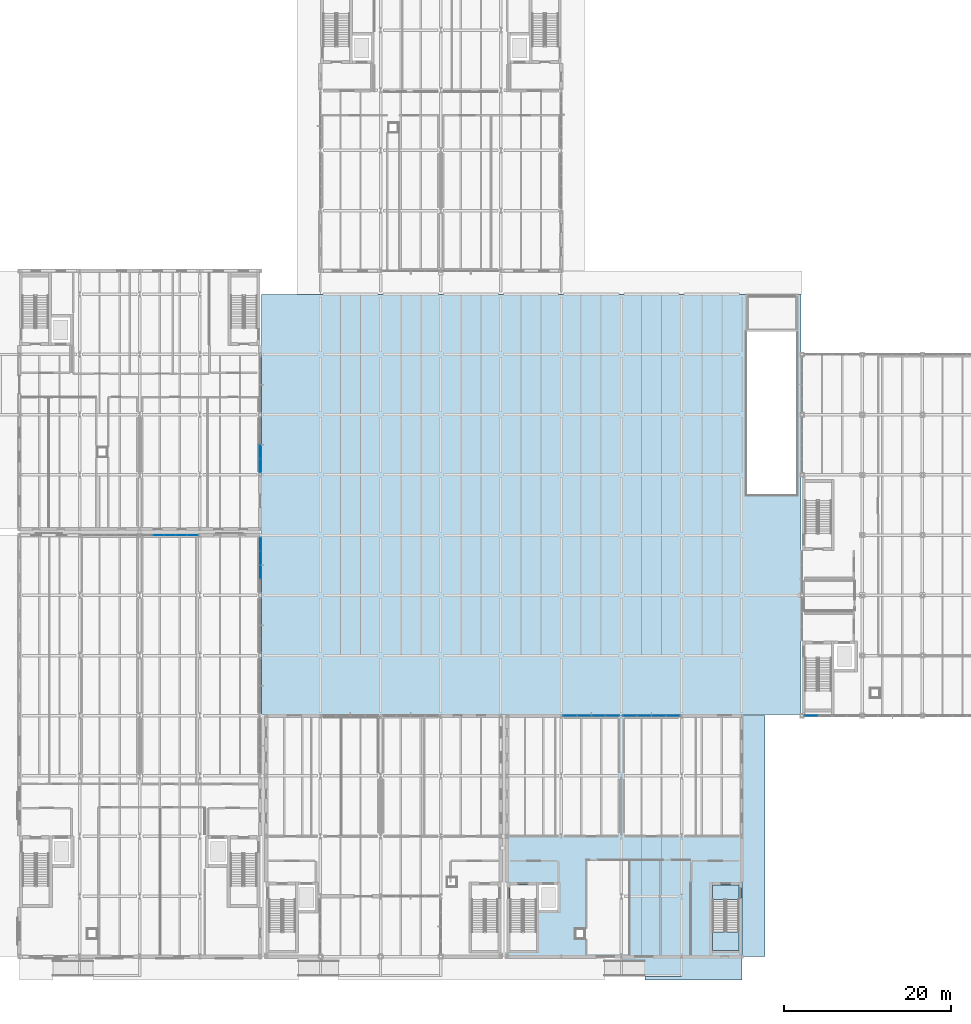
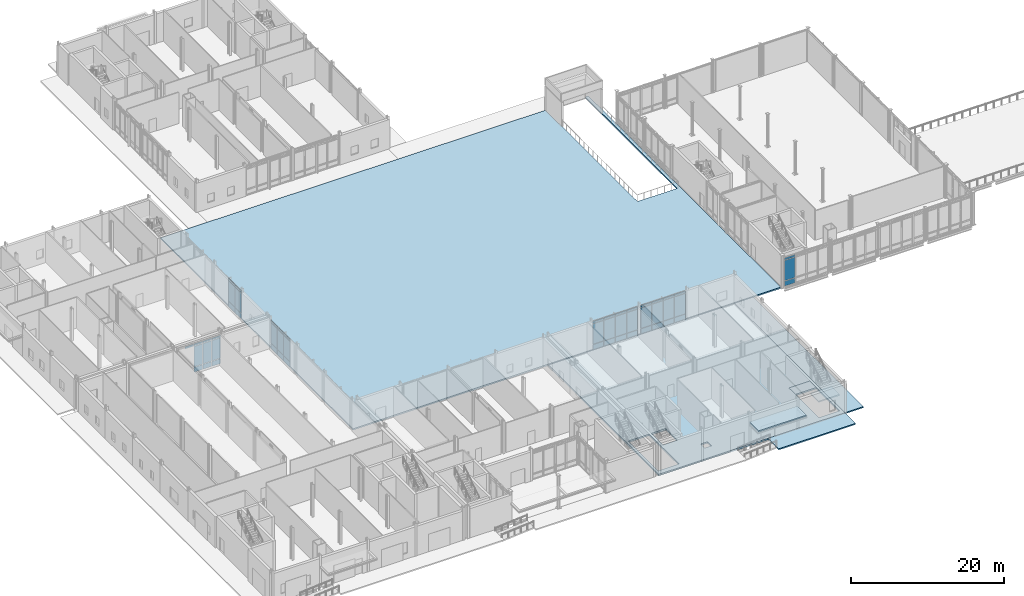
# One storey, part 42 of 89: 52 plates, 7 slabs, 7 elements without a shape of their own.
"""IFC4 building model written with IfcOpenShell, lengths in metres."""

import ifcopenshell
import ifcopenshell.guid

model = None  # the IFC model being written
_history = None  # IfcOwnerHistory: only IFC2X3 demands one
_inside = {}  # id of a spatial element -> (the spatial element, [elements in it])
_under = {}  # id of a project, library or spatial element -> (it, [spatial elements below it])
_declared = {}  # id of a project -> (the project, [libraries it declares])
_typed = {}  # id of a type object -> (the type object, [elements of that type])
_made_of = {}  # id of a material, layer set ... -> (it, [elements and type objects made of it])


def new_model(schema):
    """Start an empty IFC model of exactly this schema.

    Asked for "IFC4X3", IfcOpenShell would pick the latest addendum, in which some entities
    have other attributes; the version numbers below select the first issue.
    IFC2X3 requires an IfcOwnerHistory on every rooted entity: one is made here for all.
    """
    global model, _history
    if schema == "IFC4X3":
        model = ifcopenshell.file(schema_version=(4, 3, 0, 0))
    else:
        model = ifcopenshell.file(schema=schema)
    _inside.clear()
    _under.clear()
    _declared.clear()
    _typed.clear()
    _made_of.clear()
    _history = None
    if model.schema == "IFC2X3":
        org = make("IfcOrganization", Name="unknown")
        user = make(
            "IfcPersonAndOrganization",
            ThePerson=make("IfcPerson", FamilyName="unknown"),
            TheOrganization=org,
        )
        app = make(
            "IfcApplication",
            ApplicationDeveloper=org,
            Version="unknown",
            ApplicationFullName="unknown",
            ApplicationIdentifier="unknown",
        )
        _history = make(
            "IfcOwnerHistory",
            OwningUser=user,
            OwningApplication=app,
            ChangeAction="ADDED",
            CreationDate=0,
        )
    return model


def make(cls, **values):
    """One entity of the class cls with the attributes given. An attribute that is None is left unset."""
    return model.create_entity(
        cls, **{name: value for name, value in values.items() if value is not None}
    )


def rooted(cls, **values):
    """An entity with a GlobalId (a new one), such as an element, a storey or a relation."""
    return make(cls, GlobalId=ifcopenshell.guid.new(), OwnerHistory=_history, **values)


def si_unit(unit_type, name, prefix=None):
    """IfcSIUnit, for example si_unit("LENGTHUNIT", "METRE", prefix="MILLI")."""
    return make("IfcSIUnit", UnitType=unit_type, Prefix=prefix, Name=name)


def assignment(units):
    """IfcUnitAssignment: the units of a project."""
    return None if units is None else make("IfcUnitAssignment", Units=units)


def point(xyz):
    """IfcCartesianPoint."""
    return None if xyz is None else make("IfcCartesianPoint", Coordinates=xyz)


def direction(xyz):
    """IfcDirection."""
    return None if xyz is None else make("IfcDirection", DirectionRatios=xyz)


def frame(location, z_axis=None, x_axis=None):
    """IfcAxis2Placement3D, a coordinate frame: its origin and axes. An axis left out is left unset."""
    return make(
        "IfcAxis2Placement3D",
        Location=point(location),
        Axis=direction(z_axis),
        RefDirection=direction(x_axis),
    )


def frame_2d(location, x_axis=None):
    """IfcAxis2Placement2D, a coordinate frame in the plane: its origin and x axis."""
    return make(
        "IfcAxis2Placement2D", Location=point(location), RefDirection=direction(x_axis)
    )


def origin():
    """The frame at (0, 0, 0) with its axes left unset."""
    return frame((0.0, 0.0, 0.0))


def origin_2d():
    """The frame at (0, 0) in the plane with its x axis left unset."""
    return frame_2d((0.0, 0.0))


def place(relative_to, where):
    """IfcLocalPlacement: puts the frame where relative to a parent placement (None: the world)."""
    return make(
        "IfcLocalPlacement", PlacementRelTo=relative_to, RelativePlacement=where
    )


def context(
    kind, dimensions, precision=None, world=None, true_north=None, identifier=None
):
    """IfcGeometricRepresentationContext, for example the 3D "Model" context."""
    return make(
        "IfcGeometricRepresentationContext",
        ContextIdentifier=identifier,
        ContextType=kind,
        CoordinateSpaceDimension=dimensions,
        Precision=precision,
        WorldCoordinateSystem=world,
        TrueNorth=true_north,
    )


def subcontext(parent, identifier, kind, view, scale=None):
    """IfcGeometricRepresentationSubContext, for example "Body" below "Model"."""
    return make(
        "IfcGeometricRepresentationSubContext",
        ContextIdentifier=identifier,
        ContextType=kind,
        ParentContext=parent,
        TargetScale=scale,
        TargetView=view,
    )


def project(units=None, contexts=None):
    """IfcProject with its units and contexts."""
    return rooted(
        "IfcProject",
        Name="project",
        RepresentationContexts=contexts,
        UnitsInContext=assignment(units),
    )


def spatial(cls, under=None, at=None, **own):
    """A site, building, storey or space (cls), placed at a placement, below another one or the project."""
    s = rooted(cls, ObjectPlacement=at, **own)
    if under is not None:
        _under.setdefault(under.id(), (under, []))[1].append(s)
    return s


def polyline(points):
    """IfcPolyline through the points."""
    return make("IfcPolyline", Points=[point(p) for p in points])


def profile(cls, at=None, kind="AREA", **sizes):
    """A parametric profile (cls). Its sizes go by their IFC names, for example OverallWidth=200.0."""
    return make(cls, ProfileType=kind, Position=at, **sizes)


def rectangle(**sizes):
    """IfcRectangleProfileDef."""
    return profile("IfcRectangleProfileDef", **sizes)


def outline(outer, holes=None, kind="AREA"):
    """IfcArbitraryClosedProfileDef: a profile drawn as a closed curve; with holes, ...WithVoids."""
    if holes is None:
        return make("IfcArbitraryClosedProfileDef", ProfileType=kind, OuterCurve=outer)
    return make(
        "IfcArbitraryProfileDefWithVoids",
        ProfileType=kind,
        OuterCurve=outer,
        InnerCurves=holes,
    )


def extrude(swept, where, along, depth):
    """IfcExtrudedAreaSolid: the profile swept, set in the frame where, extruded along a direction by depth."""
    return make(
        "IfcExtrudedAreaSolid",
        SweptArea=swept,
        Position=where,
        ExtrudedDirection=direction(along),
        Depth=depth,
    )


def shape(context_of_items, identifier, shape_type, items):
    """IfcShapeRepresentation: the items that make up one representation, for example the "Body"."""
    return make(
        "IfcShapeRepresentation",
        ContextOfItems=context_of_items,
        RepresentationIdentifier=identifier,
        RepresentationType=shape_type,
        Items=items,
    )


def material(Name=None, Category=None):
    """IfcMaterial."""
    return make("IfcMaterial", Name=Name, Category=Category)


def layer(
    of_material, thickness, ventilated=None, Name=None, Category=None, Priority=None
):
    """IfcMaterialLayer: one layer of a wall or slab, of a material (None: an air gap)."""
    return make(
        "IfcMaterialLayer",
        Material=of_material,
        LayerThickness=thickness,
        IsVentilated=ventilated,
        Name=Name,
        Category=Category,
        Priority=Priority,
    )


def layer_set(layers, Name=None):
    """IfcMaterialLayerSet."""
    return make("IfcMaterialLayerSet", MaterialLayers=layers, LayerSetName=Name)


def made_of(thing, what):
    """Note that an element or type object is made of a material, layer set ...; save() writes the relation."""
    if what is not None:
        _made_of.setdefault(what.id(), (what, []))[1].append(thing)
    return thing


def type_object(cls, material=None, **own):
    """A type object (cls), such as IfcWallType, which elements share."""
    return made_of(rooted(cls, **own), material)


def element(
    cls,
    number,
    at=None,
    inside=None,
    cuts=None,
    type_object=None,
    material=None,
    context=None,
    identifier="Body",
    shape_type=None,
    held_by="IfcProductDefinitionShape",
    body=None,
    shapes=None,
    **own,
):
    """One element of the class cls, such as IfcWall. Its Tag is "e" and its number.

    at: its placement. inside: the storey or other place that contains it. cuts: it is an
    opening in that element (IfcRelVoidsElement). A single representation is given by context,
    identifier, shape_type and body (its items); several are given by shapes. held_by: the class
    of the entity that holds the representations. save() writes the other relations.
    """
    e = rooted(cls, Tag="e%d" % number, ObjectPlacement=at, **own)
    if body is not None:
        shapes = [shape(context, identifier, shape_type, body)]
    if shapes is not None:
        e.Representation = make(held_by, Representations=shapes)
    if inside is not None:
        _inside.setdefault(inside.id(), (inside, []))[1].append(e)
    if cuts is not None:
        rooted(
            "IfcRelVoidsElement", RelatingBuildingElement=cuts, RelatedOpeningElement=e
        )
    if type_object is not None:
        _typed.setdefault(type_object.id(), (type_object, []))[1].append(e)
    return made_of(e, material)


def aggregate(whole, parts):
    """IfcRelAggregates: a whole, such as a stair, and the parts it consists of."""
    return rooted("IfcRelAggregates", RelatingObject=whole, RelatedObjects=parts)


def save(model, path):
    """Write the relations noted so far, then the file.

    IfcRelAggregates (storeys below a building ...), IfcRelContainedInSpatialStructure (elements
    in a storey), IfcRelDefinesByType, IfcRelAssociatesMaterial and IfcRelDeclares: one each for
    every whole, place, type object, material and project.
    """
    for whole, parts in _under.values():
        aggregate(whole, parts)
    for where, things in _inside.values():
        rooted(
            "IfcRelContainedInSpatialStructure",
            RelatedElements=things,
            RelatingStructure=where,
        )
    for kind, things in _typed.values():
        rooted("IfcRelDefinesByType", RelatedObjects=things, RelatingType=kind)
    for what, things in _made_of.values():
        rooted("IfcRelAssociatesMaterial", RelatedObjects=things, RelatingMaterial=what)
    for by, libraries in _declared.values():
        rooted("IfcRelDeclares", RelatingContext=by, RelatedDefinitions=libraries)
    model.write(path)


model = new_model("IFC4")

# Units and contexts
model_context = context("Model", 3, precision=1e-05, world=origin(), true_north=direction((0.0, 1.0)))
body_context = subcontext(model_context, "Body", "Model", "MODEL_VIEW")
ifc_project = project(units=[si_unit("LENGTHUNIT", "METRE"), si_unit("AREAUNIT", "SQUARE_METRE"), si_unit("VOLUMEUNIT", "CUBIC_METRE"), si_unit("PLANEANGLEUNIT", "RADIAN"), si_unit("MASSUNIT", "GRAM", prefix="KILO")], contexts=[model_context])

# Site, building, storey
site_placement = place(None, origin())
site = spatial("IfcSite", under=ifc_project, at=site_placement, CompositionType="ELEMENT")
building_placement = place(site_placement, origin())
building = spatial("IfcBuilding", under=site, at=building_placement, Name="Zarrinpeak Specialist Clinic", CompositionType="ELEMENT")
storey_placement = place(building_placement, origin())
storey = spatial("IfcBuildingStorey", under=building, at=storey_placement, Name="L00", CompositionType="ELEMENT", Elevation=0.0)

# Slab
ifc_material_1 = material(Name="Steel S355", Category="steel")
ifc_layer_1 = layer(ifc_material_1, 0.199951171875)
ifc_layer_set_1 = layer_set([ifc_layer_1], Name="Steel S355")
slab_type_1 = type_object("IfcSlabType", Name="CAN-ENT", PredefinedType="ROOF", material=ifc_layer_set_1)
slab_1_placement = place(storey_placement, frame((0.0, 0.0, 3.39990234375)))
element("IfcSlab", 1, at=slab_1_placement, inside=storey, type_object=slab_type_1, Name="V4 Day Procedure Entrance Canopy", PredefinedType="ROOF", context=body_context, shape_type="SweptSolid", body=[
    extrude(outline(polyline([(72.0, -2.39990234375), (79.199951171875, -2.39990234375), (79.199951171875, 0.0), (72.0, 0.0), (72.0, -2.39990234375)])), origin(), (0.0, 0.0, 1.0), 0.2001953125),
])

# Curtain wall, plates
ifc_material_2 = material(Name="Anodised Aluminium Alloy 6063-T6", Category="aluminium")
ifc_layer_2 = layer(ifc_material_2, 0.1650390625)
ifc_layer_set_2 = layer_set([ifc_layer_2], Name="Anodised Aluminium Alloy 6063-T6")
curtain_wall_type_1 = type_object("IfcCurtainWallType", Name="CW-CLINIC", PredefinedType="NOTDEFINED", material=ifc_layer_set_2)
curtain_wall_1_placement = place(storey_placement, origin())
curtain_wall_1 = element("IfcCurtainWall", 2, at=curtain_wall_1_placement, inside=storey, type_object=curtain_wall_type_1, Name="L00 V1 Unitised Curtain Wall CW-L00-V1-002", PredefinedType="NOTDEFINED")
ifc_material_3 = material(Name="Double Low-E Insulated Glazing", Category="glass")
ifc_layer_3 = layer(ifc_material_3, 0.028076171875)
ifc_layer_set_3 = layer_set([ifc_layer_3], Name="Double Low-E Insulated Glazing")
plate_type_1 = type_object("IfcPlateType", Name="CWP-GLZ28", PredefinedType="CURTAIN_PANEL", material=ifc_layer_set_3)
plate_1_placement = place(storey_placement, frame((20.72119140625, 50.39990234375, 0.074951171875), z_axis=(0.0, 0.0, 1.0), x_axis=(-1.0, 0.0, 0.0)))
plate_1 = element("IfcPlate", 3, at=plate_1_placement, type_object=plate_type_1, Name="CW-03 panel 1.1", PredefinedType="CURTAIN_PANEL", context=body_context, shape_type="SweptSolid", body=[
    extrude(rectangle(XDim=1.257568359375, YDim=0.028076171875, at=origin_2d()), origin(), (0.0, 0.0, 1.0), 0.78759765625),
])
plate_2_placement = place(storey_placement, frame((20.72119140625, 50.39990234375, 0.9375), z_axis=(0.0, 0.0, 1.0), x_axis=(-1.0, 0.0, 0.0)))
plate_2 = element("IfcPlate", 4, at=plate_2_placement, type_object=plate_type_1, Name="CW-03 panel 1.2", PredefinedType="CURTAIN_PANEL", context=body_context, shape_type="SweptSolid", body=[
    extrude(rectangle(XDim=1.257568359375, YDim=0.028076171875, at=origin_2d()), origin(), (0.0, 0.0, 1.0), 3.239990234375),
])
plate_3_placement = place(storey_placement, frame((20.72119140625, 50.39990234375, 4.25244140625), z_axis=(0.0, 0.0, 1.0), x_axis=(-1.0, 0.0, 0.0)))
plate_3 = element("IfcPlate", 5, at=plate_3_placement, type_object=plate_type_1, Name="CW-03 panel 1.3", PredefinedType="CURTAIN_PANEL", context=body_context, shape_type="SweptSolid", body=[
    extrude(rectangle(XDim=1.257568359375, YDim=0.028076171875, at=origin_2d()), origin(), (0.0, 0.0, 1.0), 0.33740234375),
])
plate_4_placement = place(storey_placement, frame((19.3701171875, 50.39990234375, 0.074951171875), z_axis=(0.0, 0.0, 1.0), x_axis=(-1.0, 0.0, 0.0)))
plate_4 = element("IfcPlate", 6, at=plate_4_placement, type_object=plate_type_1, Name="CW-03 panel 2.1", PredefinedType="CURTAIN_PANEL", context=body_context, shape_type="SweptSolid", body=[
    extrude(rectangle(XDim=1.294921875, YDim=0.028076171875, at=origin_2d()), origin(), (0.0, 0.0, 1.0), 0.78759765625),
])
plate_5_placement = place(storey_placement, frame((19.3701171875, 50.39990234375, 0.9375), z_axis=(0.0, 0.0, 1.0), x_axis=(-1.0, 0.0, 0.0)))
plate_5 = element("IfcPlate", 7, at=plate_5_placement, type_object=plate_type_1, Name="CW-03 panel 2.2", PredefinedType="CURTAIN_PANEL", context=body_context, shape_type="SweptSolid", body=[
    extrude(rectangle(XDim=1.294921875, YDim=0.028076171875, at=origin_2d()), origin(), (0.0, 0.0, 1.0), 3.239990234375),
])
plate_6_placement = place(storey_placement, frame((19.3701171875, 50.39990234375, 4.25244140625), z_axis=(0.0, 0.0, 1.0), x_axis=(-1.0, 0.0, 0.0)))
plate_6 = element("IfcPlate", 8, at=plate_6_placement, type_object=plate_type_1, Name="CW-03 panel 2.3", PredefinedType="CURTAIN_PANEL", context=body_context, shape_type="SweptSolid", body=[
    extrude(rectangle(XDim=1.294921875, YDim=0.028076171875, at=origin_2d()), origin(), (0.0, 0.0, 1.0), 0.33740234375),
])
plate_7_placement = place(storey_placement, frame((18.0, 50.39990234375, 0.074951171875), z_axis=(0.0, 0.0, 1.0), x_axis=(-1.0, 0.0, 0.0)))
plate_7 = element("IfcPlate", 9, at=plate_7_placement, type_object=plate_type_1, Name="CW-03 panel 3.1", PredefinedType="CURTAIN_PANEL", context=body_context, shape_type="SweptSolid", body=[
    extrude(rectangle(XDim=1.294921875, YDim=0.028076171875, at=origin_2d()), origin(), (0.0, 0.0, 1.0), 0.78759765625),
])
plate_8_placement = place(storey_placement, frame((18.0, 50.39990234375, 0.9375), z_axis=(0.0, 0.0, 1.0), x_axis=(-1.0, 0.0, 0.0)))
plate_8 = element("IfcPlate", 10, at=plate_8_placement, type_object=plate_type_1, Name="CW-03 panel 3.2", PredefinedType="CURTAIN_PANEL", context=body_context, shape_type="SweptSolid", body=[
    extrude(rectangle(XDim=1.294921875, YDim=0.028076171875, at=origin_2d()), origin(), (0.0, 0.0, 1.0), 3.239990234375),
])
plate_9_placement = place(storey_placement, frame((18.0, 50.39990234375, 4.25244140625), z_axis=(0.0, 0.0, 1.0), x_axis=(-1.0, 0.0, 0.0)))
plate_9 = element("IfcPlate", 11, at=plate_9_placement, type_object=plate_type_1, Name="CW-03 panel 3.3", PredefinedType="CURTAIN_PANEL", context=body_context, shape_type="SweptSolid", body=[
    extrude(rectangle(XDim=1.294921875, YDim=0.028076171875, at=origin_2d()), origin(), (0.0, 0.0, 1.0), 0.33740234375),
])
plate_10_placement = place(storey_placement, frame((16.6298828125, 50.39990234375, 4.25244140625), z_axis=(0.0, 0.0, 1.0), x_axis=(-1.0, 0.0, 0.0)))
plate_10 = element("IfcPlate", 12, at=plate_10_placement, type_object=plate_type_1, Name="CW-03 panel 4.3", PredefinedType="CURTAIN_PANEL", context=body_context, shape_type="SweptSolid", body=[
    extrude(rectangle(XDim=1.294921875, YDim=0.028076171875, at=origin_2d()), origin(), (0.0, 0.0, 1.0), 0.33740234375),
])
aggregate(curtain_wall_1, [plate_1, plate_2, plate_3, plate_4, plate_5, plate_6, plate_7, plate_8, plate_9, plate_10])

ifc_layer_4 = layer(ifc_material_2, 0.179931640625)
ifc_layer_set_4 = layer_set([ifc_layer_4], Name="Anodised Aluminium Alloy 6063-T6")
curtain_wall_type_2 = type_object("IfcCurtainWallType", Name="CW-COURT", PredefinedType="NOTDEFINED", material=ifc_layer_set_4)
curtain_wall_2_placement = place(storey_placement, origin())
curtain_wall_2 = element("IfcCurtainWall", 13, at=curtain_wall_2_placement, inside=storey, type_object=curtain_wall_type_2, Name="L00 V1 Unitised Curtain Wall CW-L00-V1-006", PredefinedType="NOTDEFINED")
plate_11_placement = place(storey_placement, frame((28.800048828125, 45.97802734375, 0.074951171875), z_axis=(0.0, 0.0, 1.0), x_axis=(0.0, 1.0, 0.0)))
plate_11 = element("IfcPlate", 14, at=plate_11_placement, type_object=plate_type_1, Name="CW-01 panel 2.1", PredefinedType="CURTAIN_PANEL", context=body_context, shape_type="SweptSolid", body=[
    extrude(rectangle(XDim=1.59375, YDim=0.028076171875, at=origin_2d()), origin(), (0.0, 0.0, 1.0), 0.78759765625),
])
plate_12_placement = place(storey_placement, frame((28.800048828125, 45.97802734375, 0.9375), z_axis=(0.0, 0.0, 1.0), x_axis=(0.0, 1.0, 0.0)))
plate_12 = element("IfcPlate", 15, at=plate_12_placement, type_object=plate_type_1, Name="CW-01 panel 2.2", PredefinedType="CURTAIN_PANEL", context=body_context, shape_type="SweptSolid", body=[
    extrude(rectangle(XDim=1.59375, YDim=0.028076171875, at=origin_2d()), origin(), (0.0, 0.0, 1.0), 3.169921875),
])
plate_13_placement = place(storey_placement, frame((28.800048828125, 45.97802734375, 4.1826171875), z_axis=(0.0, 0.0, 1.0), x_axis=(0.0, 1.0, 0.0)))
plate_13 = element("IfcPlate", 16, at=plate_13_placement, type_object=plate_type_1, Name="CW-01 panel 2.3", PredefinedType="CURTAIN_PANEL", context=body_context, shape_type="SweptSolid", body=[
    extrude(rectangle(XDim=1.59375, YDim=0.028076171875, at=origin_2d()), origin(), (0.0, 0.0, 1.0), 0.33740234375),
])
plate_14_placement = place(storey_placement, frame((28.800048828125, 47.64697265625, 0.074951171875), z_axis=(0.0, 0.0, 1.0), x_axis=(0.0, 1.0, 0.0)))
plate_14 = element("IfcPlate", 17, at=plate_14_placement, type_object=plate_type_1, Name="CW-01 panel 3.1", PredefinedType="CURTAIN_PANEL", context=body_context, shape_type="SweptSolid", body=[
    extrude(rectangle(XDim=1.59375, YDim=0.028076171875, at=origin_2d()), origin(), (0.0, 0.0, 1.0), 0.78759765625),
])
plate_15_placement = place(storey_placement, frame((28.800048828125, 47.64697265625, 0.9375), z_axis=(0.0, 0.0, 1.0), x_axis=(0.0, 1.0, 0.0)))
plate_15 = element("IfcPlate", 18, at=plate_15_placement, type_object=plate_type_1, Name="CW-01 panel 3.2", PredefinedType="CURTAIN_PANEL", context=body_context, shape_type="SweptSolid", body=[
    extrude(rectangle(XDim=1.59375, YDim=0.028076171875, at=origin_2d()), origin(), (0.0, 0.0, 1.0), 3.169921875),
])
plate_16_placement = place(storey_placement, frame((28.800048828125, 47.64697265625, 4.1826171875), z_axis=(0.0, 0.0, 1.0), x_axis=(0.0, 1.0, 0.0)))
plate_16 = element("IfcPlate", 19, at=plate_16_placement, type_object=plate_type_1, Name="CW-01 panel 3.3", PredefinedType="CURTAIN_PANEL", context=body_context, shape_type="SweptSolid", body=[
    extrude(rectangle(XDim=1.59375, YDim=0.028076171875, at=origin_2d()), origin(), (0.0, 0.0, 1.0), 0.33740234375),
])
plate_17_placement = place(storey_placement, frame((28.800048828125, 49.296875, 0.074951171875), z_axis=(0.0, 0.0, 1.0), x_axis=(0.0, 1.0, 0.0)))
plate_17 = element("IfcPlate", 20, at=plate_17_placement, type_object=plate_type_1, Name="CW-01 panel 4.1", PredefinedType="CURTAIN_PANEL", context=body_context, shape_type="SweptSolid", body=[
    extrude(rectangle(XDim=1.55615234375, YDim=0.028076171875, at=origin_2d()), origin(), (0.0, 0.0, 1.0), 0.78759765625),
])
plate_18_placement = place(storey_placement, frame((28.800048828125, 49.296875, 0.9375), z_axis=(0.0, 0.0, 1.0), x_axis=(0.0, 1.0, 0.0)))
plate_18 = element("IfcPlate", 21, at=plate_18_placement, type_object=plate_type_1, Name="CW-01 panel 4.2", PredefinedType="CURTAIN_PANEL", context=body_context, shape_type="SweptSolid", body=[
    extrude(rectangle(XDim=1.55615234375, YDim=0.028076171875, at=origin_2d()), origin(), (0.0, 0.0, 1.0), 3.169921875),
])
plate_19_placement = place(storey_placement, frame((28.800048828125, 49.296875, 4.1826171875), z_axis=(0.0, 0.0, 1.0), x_axis=(0.0, 1.0, 0.0)))
plate_19 = element("IfcPlate", 22, at=plate_19_placement, type_object=plate_type_1, Name="CW-01 panel 4.3", PredefinedType="CURTAIN_PANEL", context=body_context, shape_type="SweptSolid", body=[
    extrude(rectangle(XDim=1.55615234375, YDim=0.028076171875, at=origin_2d()), origin(), (0.0, 0.0, 1.0), 0.33740234375),
])
aggregate(curtain_wall_2, [plate_11, plate_12, plate_13, plate_14, plate_15, plate_16, plate_17, plate_18, plate_19])

ifc_layer_5 = layer(ifc_material_2, 0.199951171875)
ifc_layer_set_5 = layer_set([ifc_layer_5], Name="Anodised Aluminium Alloy 6063-T6")
curtain_wall_type_3 = type_object("IfcCurtainWallType", Name="CW-HALL", PredefinedType="NOTDEFINED", material=ifc_layer_set_5)
curtain_wall_3_placement = place(storey_placement, origin())
curtain_wall_3 = element("IfcCurtainWall", 23, at=curtain_wall_3_placement, inside=storey, type_object=curtain_wall_type_3, Name="L00 V3 Unitised Curtain Wall CW-L00-V3-079", PredefinedType="NOTDEFINED")
plate_20_placement = place(storey_placement, frame((94.69873046875, 28.800048828125, 0.08984375), z_axis=(0.0, 0.0, 1.0), x_axis=(1.0, 0.0, 0.0)))
plate_20 = element("IfcPlate", 24, at=plate_20_placement, type_object=plate_type_1, Name="CW-02 panel 1.1", PredefinedType="CURTAIN_PANEL", context=body_context, shape_type="SweptSolid", body=[
    extrude(rectangle(XDim=1.561279296875, YDim=0.028076171875, at=origin_2d()), origin(), (0.0, 0.0, 1.0), 0.764892578125),
])
plate_21_placement = place(storey_placement, frame((94.69873046875, 28.800048828125, 0.945068359375), z_axis=(0.0, 0.0, 1.0), x_axis=(1.0, 0.0, 0.0)))
plate_21 = element("IfcPlate", 25, at=plate_21_placement, type_object=plate_type_1, Name="CW-02 panel 1.2", PredefinedType="CURTAIN_PANEL", context=body_context, shape_type="SweptSolid", body=[
    extrude(rectangle(XDim=1.561279296875, YDim=0.028076171875, at=origin_2d()), origin(), (0.0, 0.0, 1.0), 3.22509765625),
])
plate_22_placement = place(storey_placement, frame((94.69873046875, 28.800048828125, 4.260009765625), z_axis=(0.0, 0.0, 1.0), x_axis=(1.0, 0.0, 0.0)))
plate_22 = element("IfcPlate", 26, at=plate_22_placement, type_object=plate_type_1, Name="CW-02 panel 1.3", PredefinedType="CURTAIN_PANEL", context=body_context, shape_type="SweptSolid", body=[
    extrude(rectangle(XDim=1.561279296875, YDim=0.028076171875, at=origin_2d()), origin(), (0.0, 0.0, 1.0), 0.31494140625),
])
aggregate(curtain_wall_3, [plate_20, plate_21, plate_22])

curtain_wall_4_placement = place(storey_placement, origin())
curtain_wall_4 = element("IfcCurtainWall", 27, at=curtain_wall_4_placement, inside=storey, type_object=curtain_wall_type_2, Name="L00 V4 Unitised Curtain Wall CW-L00-V4-069", PredefinedType="NOTDEFINED")
ifc_material_4 = material(Name="Triple Acoustic Low-E Glazing", Category="glass")
ifc_layer_6 = layer(ifc_material_4, 0.035888671875)
ifc_layer_set_6 = layer_set([ifc_layer_6], Name="Triple Acoustic Low-E Glazing")
plate_type_2 = type_object("IfcPlateType", Name="CWP-GLZ36", PredefinedType="CURTAIN_PANEL", material=ifc_layer_set_6)
plate_23_placement = place(storey_placement, frame((70.949951171875, 28.800048828125, 0.074951171875), z_axis=(0.0, 0.0, 1.0), x_axis=(-1.0, 0.0, 0.0)))
plate_23 = element("IfcPlate", 28, at=plate_23_placement, type_object=plate_type_2, Name="CW-01 panel 1.1", PredefinedType="CURTAIN_PANEL", context=body_context, shape_type="SweptSolid", body=[
    extrude(rectangle(XDim=1.60009765625, YDim=0.035888671875, at=origin_2d()), origin(), (0.0, 0.0, 1.0), 0.78759765625),
])
plate_24_placement = place(storey_placement, frame((70.949951171875, 28.800048828125, 0.9375), z_axis=(0.0, 0.0, 1.0), x_axis=(-1.0, 0.0, 0.0)))
plate_24 = element("IfcPlate", 29, at=plate_24_placement, type_object=plate_type_2, Name="CW-01 panel 1.2", PredefinedType="CURTAIN_PANEL", context=body_context, shape_type="SweptSolid", body=[
    extrude(rectangle(XDim=1.60009765625, YDim=0.035888671875, at=origin_2d()), origin(), (0.0, 0.0, 1.0), 3.239990234375),
])
plate_25_placement = place(storey_placement, frame((70.949951171875, 28.800048828125, 4.25244140625), z_axis=(0.0, 0.0, 1.0), x_axis=(-1.0, 0.0, 0.0)))
plate_25 = element("IfcPlate", 30, at=plate_25_placement, type_object=plate_type_2, Name="CW-01 panel 1.3", PredefinedType="CURTAIN_PANEL", context=body_context, shape_type="SweptSolid", body=[
    extrude(rectangle(XDim=1.60009765625, YDim=0.035888671875, at=origin_2d()), origin(), (0.0, 0.0, 1.0), 0.33740234375),
])
plate_26_placement = place(storey_placement, frame((69.25634765625, 28.800048828125, 0.074951171875), z_axis=(0.0, 0.0, 1.0), x_axis=(-1.0, 0.0, 0.0)))
plate_26 = element("IfcPlate", 31, at=plate_26_placement, type_object=plate_type_2, Name="CW-01 panel 2.1", PredefinedType="CURTAIN_PANEL", context=body_context, shape_type="SweptSolid", body=[
    extrude(rectangle(XDim=1.637451171875, YDim=0.035888671875, at=origin_2d()), origin(), (0.0, 0.0, 1.0), 0.78759765625),
])
plate_27_placement = place(storey_placement, frame((69.25634765625, 28.800048828125, 0.9375), z_axis=(0.0, 0.0, 1.0), x_axis=(-1.0, 0.0, 0.0)))
plate_27 = element("IfcPlate", 32, at=plate_27_placement, type_object=plate_type_2, Name="CW-01 panel 2.2", PredefinedType="CURTAIN_PANEL", context=body_context, shape_type="SweptSolid", body=[
    extrude(rectangle(XDim=1.637451171875, YDim=0.035888671875, at=origin_2d()), origin(), (0.0, 0.0, 1.0), 3.239990234375),
])
plate_28_placement = place(storey_placement, frame((69.25634765625, 28.800048828125, 4.25244140625), z_axis=(0.0, 0.0, 1.0), x_axis=(-1.0, 0.0, 0.0)))
plate_28 = element("IfcPlate", 33, at=plate_28_placement, type_object=plate_type_2, Name="CW-01 panel 2.3", PredefinedType="CURTAIN_PANEL", context=body_context, shape_type="SweptSolid", body=[
    extrude(rectangle(XDim=1.637451171875, YDim=0.035888671875, at=origin_2d()), origin(), (0.0, 0.0, 1.0), 0.33740234375),
])
plate_29_placement = place(storey_placement, frame((67.543701171875, 28.800048828125, 0.074951171875), z_axis=(0.0, 0.0, 1.0), x_axis=(-1.0, 0.0, 0.0)))
plate_29 = element("IfcPlate", 34, at=plate_29_placement, type_object=plate_type_2, Name="CW-01 panel 3.1", PredefinedType="CURTAIN_PANEL", context=body_context, shape_type="SweptSolid", body=[
    extrude(rectangle(XDim=1.637451171875, YDim=0.035888671875, at=origin_2d()), origin(), (0.0, 0.0, 1.0), 0.78759765625),
])
plate_30_placement = place(storey_placement, frame((67.543701171875, 28.800048828125, 0.9375), z_axis=(0.0, 0.0, 1.0), x_axis=(-1.0, 0.0, 0.0)))
plate_30 = element("IfcPlate", 35, at=plate_30_placement, type_object=plate_type_2, Name="CW-01 panel 3.2", PredefinedType="CURTAIN_PANEL", context=body_context, shape_type="SweptSolid", body=[
    extrude(rectangle(XDim=1.637451171875, YDim=0.035888671875, at=origin_2d()), origin(), (0.0, 0.0, 1.0), 3.239990234375),
])
plate_31_placement = place(storey_placement, frame((67.543701171875, 28.800048828125, 4.25244140625), z_axis=(0.0, 0.0, 1.0), x_axis=(-1.0, 0.0, 0.0)))
plate_31 = element("IfcPlate", 36, at=plate_31_placement, type_object=plate_type_2, Name="CW-01 panel 3.3", PredefinedType="CURTAIN_PANEL", context=body_context, shape_type="SweptSolid", body=[
    extrude(rectangle(XDim=1.637451171875, YDim=0.035888671875, at=origin_2d()), origin(), (0.0, 0.0, 1.0), 0.33740234375),
])
plate_32_placement = place(storey_placement, frame((65.85009765625, 28.800048828125, 0.074951171875), z_axis=(0.0, 0.0, 1.0), x_axis=(-1.0, 0.0, 0.0)))
plate_32 = element("IfcPlate", 37, at=plate_32_placement, type_object=plate_type_2, Name="CW-01 panel 4.1", PredefinedType="CURTAIN_PANEL", context=body_context, shape_type="SweptSolid", body=[
    extrude(rectangle(XDim=1.60009765625, YDim=0.035888671875, at=origin_2d()), origin(), (0.0, 0.0, 1.0), 0.78759765625),
])
plate_33_placement = place(storey_placement, frame((65.85009765625, 28.800048828125, 0.9375), z_axis=(0.0, 0.0, 1.0), x_axis=(-1.0, 0.0, 0.0)))
plate_33 = element("IfcPlate", 38, at=plate_33_placement, type_object=plate_type_2, Name="CW-01 panel 4.2", PredefinedType="CURTAIN_PANEL", context=body_context, shape_type="SweptSolid", body=[
    extrude(rectangle(XDim=1.60009765625, YDim=0.035888671875, at=origin_2d()), origin(), (0.0, 0.0, 1.0), 3.239990234375),
])
plate_34_placement = place(storey_placement, frame((65.85009765625, 28.800048828125, 4.25244140625), z_axis=(0.0, 0.0, 1.0), x_axis=(-1.0, 0.0, 0.0)))
plate_34 = element("IfcPlate", 39, at=plate_34_placement, type_object=plate_type_2, Name="CW-01 panel 4.3", PredefinedType="CURTAIN_PANEL", context=body_context, shape_type="SweptSolid", body=[
    extrude(rectangle(XDim=1.60009765625, YDim=0.035888671875, at=origin_2d()), origin(), (0.0, 0.0, 1.0), 0.33740234375),
])
aggregate(curtain_wall_4, [plate_23, plate_24, plate_25, plate_26, plate_27, plate_28, plate_29, plate_30, plate_31, plate_32, plate_33, plate_34])

curtain_wall_5_placement = place(storey_placement, origin())
curtain_wall_5 = element("IfcCurtainWall", 40, at=curtain_wall_5_placement, inside=storey, type_object=curtain_wall_type_2, Name="L00 V4 Unitised Curtain Wall CW-L00-V4-070", PredefinedType="NOTDEFINED")
plate_35_placement = place(storey_placement, frame((78.14990234375, 28.800048828125, 0.074951171875), z_axis=(0.0, 0.0, 1.0), x_axis=(-1.0, 0.0, 0.0)))
plate_35 = element("IfcPlate", 41, at=plate_35_placement, type_object=plate_type_2, Name="CW-01 panel 1.1", PredefinedType="CURTAIN_PANEL", context=body_context, shape_type="SweptSolid", body=[
    extrude(rectangle(XDim=1.60009765625, YDim=0.035888671875, at=origin_2d()), origin(), (0.0, 0.0, 1.0), 0.78759765625),
])
plate_36_placement = place(storey_placement, frame((78.14990234375, 28.800048828125, 0.9375), z_axis=(0.0, 0.0, 1.0), x_axis=(-1.0, 0.0, 0.0)))
plate_36 = element("IfcPlate", 42, at=plate_36_placement, type_object=plate_type_2, Name="CW-01 panel 1.2", PredefinedType="CURTAIN_PANEL", context=body_context, shape_type="SweptSolid", body=[
    extrude(rectangle(XDim=1.60009765625, YDim=0.035888671875, at=origin_2d()), origin(), (0.0, 0.0, 1.0), 3.239990234375),
])
plate_37_placement = place(storey_placement, frame((78.14990234375, 28.800048828125, 4.25244140625), z_axis=(0.0, 0.0, 1.0), x_axis=(-1.0, 0.0, 0.0)))
plate_37 = element("IfcPlate", 43, at=plate_37_placement, type_object=plate_type_2, Name="CW-01 panel 1.3", PredefinedType="CURTAIN_PANEL", context=body_context, shape_type="SweptSolid", body=[
    extrude(rectangle(XDim=1.60009765625, YDim=0.035888671875, at=origin_2d()), origin(), (0.0, 0.0, 1.0), 0.33740234375),
])
plate_38_placement = place(storey_placement, frame((76.456298828125, 28.800048828125, 0.074951171875), z_axis=(0.0, 0.0, 1.0), x_axis=(-1.0, 0.0, 0.0)))
plate_38 = element("IfcPlate", 44, at=plate_38_placement, type_object=plate_type_2, Name="CW-01 panel 2.1", PredefinedType="CURTAIN_PANEL", context=body_context, shape_type="SweptSolid", body=[
    extrude(rectangle(XDim=1.637451171875, YDim=0.035888671875, at=origin_2d()), origin(), (0.0, 0.0, 1.0), 0.78759765625),
])
plate_39_placement = place(storey_placement, frame((76.456298828125, 28.800048828125, 0.9375), z_axis=(0.0, 0.0, 1.0), x_axis=(-1.0, 0.0, 0.0)))
plate_39 = element("IfcPlate", 45, at=plate_39_placement, type_object=plate_type_2, Name="CW-01 panel 2.2", PredefinedType="CURTAIN_PANEL", context=body_context, shape_type="SweptSolid", body=[
    extrude(rectangle(XDim=1.637451171875, YDim=0.035888671875, at=origin_2d()), origin(), (0.0, 0.0, 1.0), 3.239990234375),
])
plate_40_placement = place(storey_placement, frame((76.456298828125, 28.800048828125, 4.25244140625), z_axis=(0.0, 0.0, 1.0), x_axis=(-1.0, 0.0, 0.0)))
plate_40 = element("IfcPlate", 46, at=plate_40_placement, type_object=plate_type_2, Name="CW-01 panel 2.3", PredefinedType="CURTAIN_PANEL", context=body_context, shape_type="SweptSolid", body=[
    extrude(rectangle(XDim=1.637451171875, YDim=0.035888671875, at=origin_2d()), origin(), (0.0, 0.0, 1.0), 0.33740234375),
])
plate_41_placement = place(storey_placement, frame((74.74365234375, 28.800048828125, 0.074951171875), z_axis=(0.0, 0.0, 1.0), x_axis=(-1.0, 0.0, 0.0)))
plate_41 = element("IfcPlate", 47, at=plate_41_placement, type_object=plate_type_2, Name="CW-01 panel 3.1", PredefinedType="CURTAIN_PANEL", context=body_context, shape_type="SweptSolid", body=[
    extrude(rectangle(XDim=1.637451171875, YDim=0.035888671875, at=origin_2d()), origin(), (0.0, 0.0, 1.0), 0.78759765625),
])
plate_42_placement = place(storey_placement, frame((74.74365234375, 28.800048828125, 0.9375), z_axis=(0.0, 0.0, 1.0), x_axis=(-1.0, 0.0, 0.0)))
plate_42 = element("IfcPlate", 48, at=plate_42_placement, type_object=plate_type_2, Name="CW-01 panel 3.2", PredefinedType="CURTAIN_PANEL", context=body_context, shape_type="SweptSolid", body=[
    extrude(rectangle(XDim=1.637451171875, YDim=0.035888671875, at=origin_2d()), origin(), (0.0, 0.0, 1.0), 3.239990234375),
])
plate_43_placement = place(storey_placement, frame((74.74365234375, 28.800048828125, 4.25244140625), z_axis=(0.0, 0.0, 1.0), x_axis=(-1.0, 0.0, 0.0)))
plate_43 = element("IfcPlate", 49, at=plate_43_placement, type_object=plate_type_2, Name="CW-01 panel 3.3", PredefinedType="CURTAIN_PANEL", context=body_context, shape_type="SweptSolid", body=[
    extrude(rectangle(XDim=1.637451171875, YDim=0.035888671875, at=origin_2d()), origin(), (0.0, 0.0, 1.0), 0.33740234375),
])
plate_44_placement = place(storey_placement, frame((73.050048828125, 28.800048828125, 0.074951171875), z_axis=(0.0, 0.0, 1.0), x_axis=(-1.0, 0.0, 0.0)))
plate_44 = element("IfcPlate", 50, at=plate_44_placement, type_object=plate_type_2, Name="CW-01 panel 4.1", PredefinedType="CURTAIN_PANEL", context=body_context, shape_type="SweptSolid", body=[
    extrude(rectangle(XDim=1.60009765625, YDim=0.035888671875, at=origin_2d()), origin(), (0.0, 0.0, 1.0), 0.78759765625),
])
plate_45_placement = place(storey_placement, frame((73.050048828125, 28.800048828125, 0.9375), z_axis=(0.0, 0.0, 1.0), x_axis=(-1.0, 0.0, 0.0)))
plate_45 = element("IfcPlate", 51, at=plate_45_placement, type_object=plate_type_2, Name="CW-01 panel 4.2", PredefinedType="CURTAIN_PANEL", context=body_context, shape_type="SweptSolid", body=[
    extrude(rectangle(XDim=1.60009765625, YDim=0.035888671875, at=origin_2d()), origin(), (0.0, 0.0, 1.0), 3.239990234375),
])
plate_46_placement = place(storey_placement, frame((73.050048828125, 28.800048828125, 4.25244140625), z_axis=(0.0, 0.0, 1.0), x_axis=(-1.0, 0.0, 0.0)))
plate_46 = element("IfcPlate", 52, at=plate_46_placement, type_object=plate_type_2, Name="CW-01 panel 4.3", PredefinedType="CURTAIN_PANEL", context=body_context, shape_type="SweptSolid", body=[
    extrude(rectangle(XDim=1.60009765625, YDim=0.035888671875, at=origin_2d()), origin(), (0.0, 0.0, 1.0), 0.33740234375),
])
aggregate(curtain_wall_5, [plate_35, plate_36, plate_37, plate_38, plate_39, plate_40, plate_41, plate_42, plate_43, plate_44, plate_45, plate_46])

curtain_wall_6_placement = place(storey_placement, origin())
curtain_wall_6 = element("IfcCurtainWall", 53, at=curtain_wall_6_placement, inside=storey, type_object=curtain_wall_type_2, Name="L00 V5 Unitised Curtain Wall CW-L00-V5-121", PredefinedType="NOTDEFINED")
plate_47_placement = place(storey_placement, frame((28.800048828125, 58.6875, 0.074951171875), z_axis=(0.0, 0.0, 1.0), x_axis=(0.0, 1.0, 0.0)))
plate_47 = element("IfcPlate", 54, at=plate_47_placement, type_object=plate_type_2, Name="CW-01 panel 1.1", PredefinedType="CURTAIN_PANEL", context=body_context, shape_type="SweptSolid", body=[
    extrude(rectangle(XDim=1.574951171875, YDim=0.035888671875, at=origin_2d()), origin(), (0.0, 0.0, 1.0), 0.78759765625),
])
plate_48_placement = place(storey_placement, frame((28.800048828125, 58.6875, 0.9375), z_axis=(0.0, 0.0, 1.0), x_axis=(0.0, 1.0, 0.0)))
plate_48 = element("IfcPlate", 55, at=plate_48_placement, type_object=plate_type_2, Name="CW-01 panel 1.2", PredefinedType="CURTAIN_PANEL", context=body_context, shape_type="SweptSolid", body=[
    extrude(rectangle(XDim=1.574951171875, YDim=0.035888671875, at=origin_2d()), origin(), (0.0, 0.0, 1.0), 3.139892578125),
])
plate_49_placement = place(storey_placement, frame((28.800048828125, 58.6875, 4.152587890625), z_axis=(0.0, 0.0, 1.0), x_axis=(0.0, 1.0, 0.0)))
plate_49 = element("IfcPlate", 56, at=plate_49_placement, type_object=plate_type_2, Name="CW-01 panel 1.3", PredefinedType="CURTAIN_PANEL", context=body_context, shape_type="SweptSolid", body=[
    extrude(rectangle(XDim=1.574951171875, YDim=0.035888671875, at=origin_2d()), origin(), (0.0, 0.0, 1.0), 0.33740234375),
])
plate_50_placement = place(storey_placement, frame((28.800048828125, 60.356201171875, 0.074951171875), z_axis=(0.0, 0.0, 1.0), x_axis=(0.0, 1.0, 0.0)))
plate_50 = element("IfcPlate", 57, at=plate_50_placement, type_object=plate_type_2, Name="CW-01 panel 2.1", PredefinedType="CURTAIN_PANEL", context=body_context, shape_type="SweptSolid", body=[
    extrude(rectangle(XDim=1.612548828125, YDim=0.035888671875, at=origin_2d()), origin(), (0.0, 0.0, 1.0), 0.78759765625),
])
plate_51_placement = place(storey_placement, frame((28.800048828125, 60.356201171875, 0.9375), z_axis=(0.0, 0.0, 1.0), x_axis=(0.0, 1.0, 0.0)))
plate_51 = element("IfcPlate", 58, at=plate_51_placement, type_object=plate_type_2, Name="CW-01 panel 2.2", PredefinedType="CURTAIN_PANEL", context=body_context, shape_type="SweptSolid", body=[
    extrude(rectangle(XDim=1.612548828125, YDim=0.035888671875, at=origin_2d()), origin(), (0.0, 0.0, 1.0), 3.139892578125),
])
plate_52_placement = place(storey_placement, frame((28.800048828125, 60.356201171875, 4.152587890625), z_axis=(0.0, 0.0, 1.0), x_axis=(0.0, 1.0, 0.0)))
plate_52 = element("IfcPlate", 59, at=plate_52_placement, type_object=plate_type_2, Name="CW-01 panel 2.3", PredefinedType="CURTAIN_PANEL", context=body_context, shape_type="SweptSolid", body=[
    extrude(rectangle(XDim=1.612548828125, YDim=0.035888671875, at=origin_2d()), origin(), (0.0, 0.0, 1.0), 0.33740234375),
])
aggregate(curtain_wall_6, [plate_47, plate_48, plate_49, plate_50, plate_51, plate_52])

# Slabs
ifc_material_5 = material(Name="Concrete C35/45", Category="concrete")
ifc_layer_7 = layer(ifc_material_5, 0.25)
ifc_layer_set_7 = layer_set([ifc_layer_7], Name="Concrete C35/45")
slab_type_2 = type_object("IfcSlabType", Name="SL-FLR250", PredefinedType="FLOOR", material=ifc_layer_set_7)
slab_2_placement = place(storey_placement, frame((0.0, 0.0, -0.25)))
element("IfcSlab", 60, at=slab_2_placement, inside=storey, type_object=slab_type_2, Name="L00 Suspended Clinical Floor Slab V4", PredefinedType="FLOOR", context=body_context, shape_type="SweptSolid", body=[
    extrude(outline(polyline([(58.320068359375, 0.0), (86.39990234375, 0.0), (86.39990234375, 28.800048828125), (58.320068359375, 28.800048828125), (58.320068359375, 0.0)]), holes=[polyline([(58.669921875, 0.75), (61.820068359375, 0.75), (61.820068359375, 8.550048828125), (58.669921875, 8.550048828125), (58.669921875, 0.75)]), polyline([(62.169921875, 5.550048828125), (64.3701171875, 5.550048828125), (64.3701171875, 8.550048828125), (62.169921875, 8.550048828125), (62.169921875, 5.550048828125)]), polyline([(82.89990234375, 0.75), (86.050048828125, 0.75), (86.050048828125, 8.550048828125), (82.89990234375, 8.550048828125), (82.89990234375, 0.75)]), polyline([(66.52001953125, 2.199951171875), (67.570068359375, 2.199951171875), (67.570068359375, 3.25), (66.52001953125, 3.25), (66.52001953125, 2.199951171875)])]), origin(), (0.0, 0.0, 1.0), 0.25),
])
slab_3_placement = place(storey_placement, frame((0.0, 0.0, -0.25)))
element("IfcSlab", 61, at=slab_3_placement, inside=storey, type_object=slab_type_2, Name="L00 Core C08 Stairwell Floor Landing Slab", PredefinedType="FLOOR", context=body_context, shape_type="SweptSolid", body=[
    extrude(outline(polyline([(82.89990234375, 6.85009765625), (86.050048828125, 6.85009765625), (86.050048828125, 8.550048828125), (82.89990234375, 8.550048828125), (82.89990234375, 6.85009765625)])), origin(), (0.0, 0.0, 1.0), 0.25),
])

# Stair, slab
stair_type = type_object("IfcStairType", Name="ST-DOG", PredefinedType="HALF_TURN_STAIR", material=ifc_material_5)
stair_placement = place(storey_placement, origin())
stair = element("IfcStair", 62, at=stair_placement, inside=storey, type_object=stair_type, Name="L00 Protected Exit Stair ST-08", PredefinedType="HALF_TURN_STAIR")
ifc_layer_8 = layer(ifc_material_5, 0.199951171875)
ifc_layer_set_8 = layer_set([ifc_layer_8], Name="Concrete C35/45")
slab_type_3 = type_object("IfcSlabType", Name="SL-LAND200", PredefinedType="LANDING", material=ifc_layer_set_8)
slab_4_placement = place(storey_placement, frame((0.0, 0.0, 2.39990234375)))
slab_4 = element("IfcSlab", 63, at=slab_4_placement, type_object=slab_type_3, Name="ST-08 landing 1", PredefinedType="LANDING", context=body_context, shape_type="SweptSolid", body=[
    extrude(outline(polyline([(82.89990234375, 2.929931640625), (82.89990234375, 0.75), (86.050048828125, 0.75), (86.050048828125, 2.929931640625), (82.89990234375, 2.929931640625)])), origin(), (0.0, 0.0, 1.0), 0.2001953125),
])
aggregate(stair, [slab_4])

# Slabs
ifc_layer_9 = layer(ifc_material_5, 0.195068359375)
ifc_layer_set_9 = layer_set([ifc_layer_9], Name="Concrete C35/45")
slab_type_4 = type_object("IfcSlabType", Name="SL-TER195", PredefinedType="FLOOR", material=ifc_layer_set_9)
slab_5_placement = place(storey_placement, frame((0.0, 0.0, -0.195068359375)))
element("IfcSlab", 64, at=slab_5_placement, inside=storey, type_object=slab_type_4, Name="L00 V4 South Promenade Entrance Apron Slab", PredefinedType="FLOOR", context=body_context, shape_type="SweptSolid", body=[
    extrude(outline(polyline([(74.800048828125, -2.800048828125), (86.39990234375, -2.800048828125), (86.39990234375, 0.0), (74.800048828125, 0.0), (74.800048828125, -2.800048828125)])), origin(), (0.0, 0.0, 1.0), 0.195068359375),
])
slab_6_placement = place(storey_placement, frame((0.0, 0.0, -0.195068359375)))
element("IfcSlab", 65, at=slab_6_placement, inside=storey, type_object=slab_type_4, Name="L00 V4 East Exit Promenade Apron Slab", PredefinedType="FLOOR", context=body_context, shape_type="SweptSolid", body=[
    extrude(outline(polyline([(86.39990234375, 0.0), (89.199951171875, 0.0), (89.199951171875, 28.800048828125), (86.39990234375, 28.800048828125), (86.39990234375, 0.0)])), origin(), (0.0, 0.0, 1.0), 0.195068359375),
])
ifc_layer_10 = layer(ifc_material_5, 0.219970703125)
ifc_layer_set_10 = layer_set([ifc_layer_10], Name="Concrete C35/45")
slab_type_5 = type_object("IfcSlabType", Name="SL-TER220", PredefinedType="FLOOR", material=ifc_layer_set_10)
slab_7_placement = place(storey_placement, frame((0.0, 0.0, -0.219970703125)))
element("IfcSlab", 66, at=slab_7_placement, inside=storey, type_object=slab_type_5, Name="L00 Carved Central Court C1 Deck Slab B01-C1", PredefinedType="FLOOR", context=body_context, shape_type="SweptSolid", body=[
    extrude(outline(polyline([(28.93994140625, 28.93994140625), (93.4599609375, 28.93994140625), (93.4599609375, 79.199951171875), (93.0, 79.199951171875), (93.0, 55.199951171875), (87.0, 55.199951171875), (87.0, 79.199951171875), (28.93994140625, 79.199951171875), (28.93994140625, 28.93994140625)])), origin(), (0.0, 0.0, 1.0), 0.219970703125),
])

save(model, "model.ifc")
